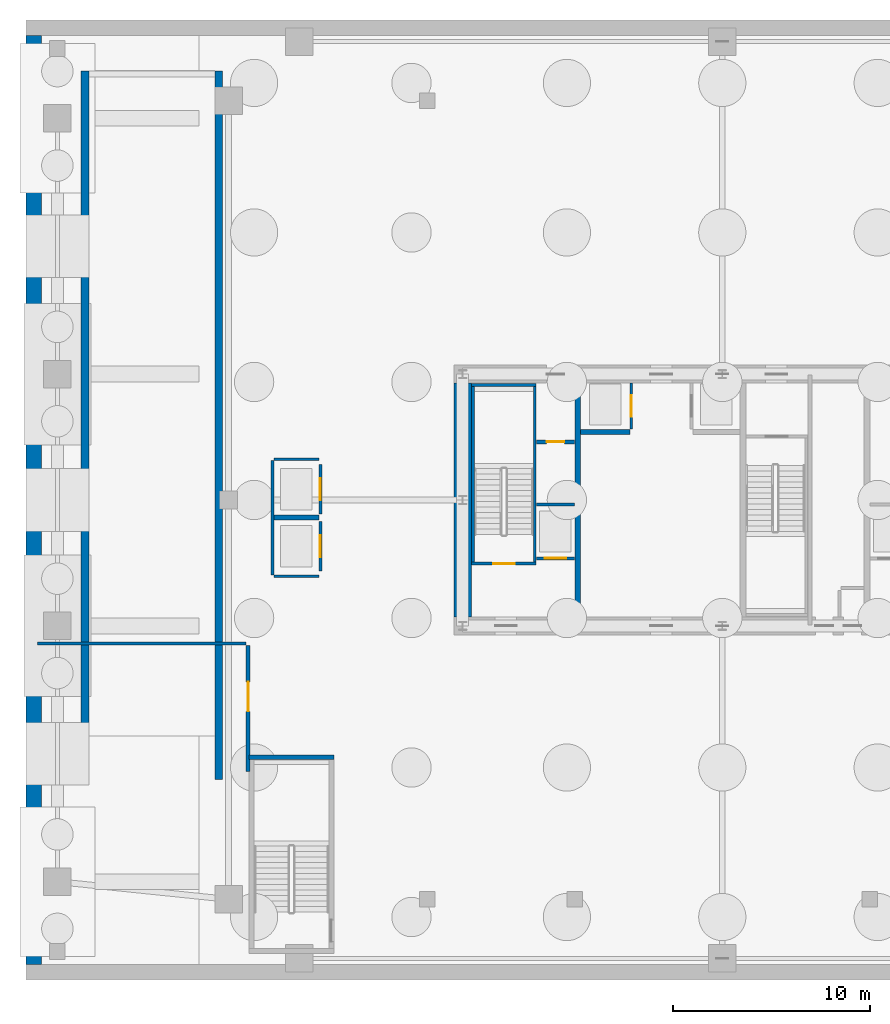
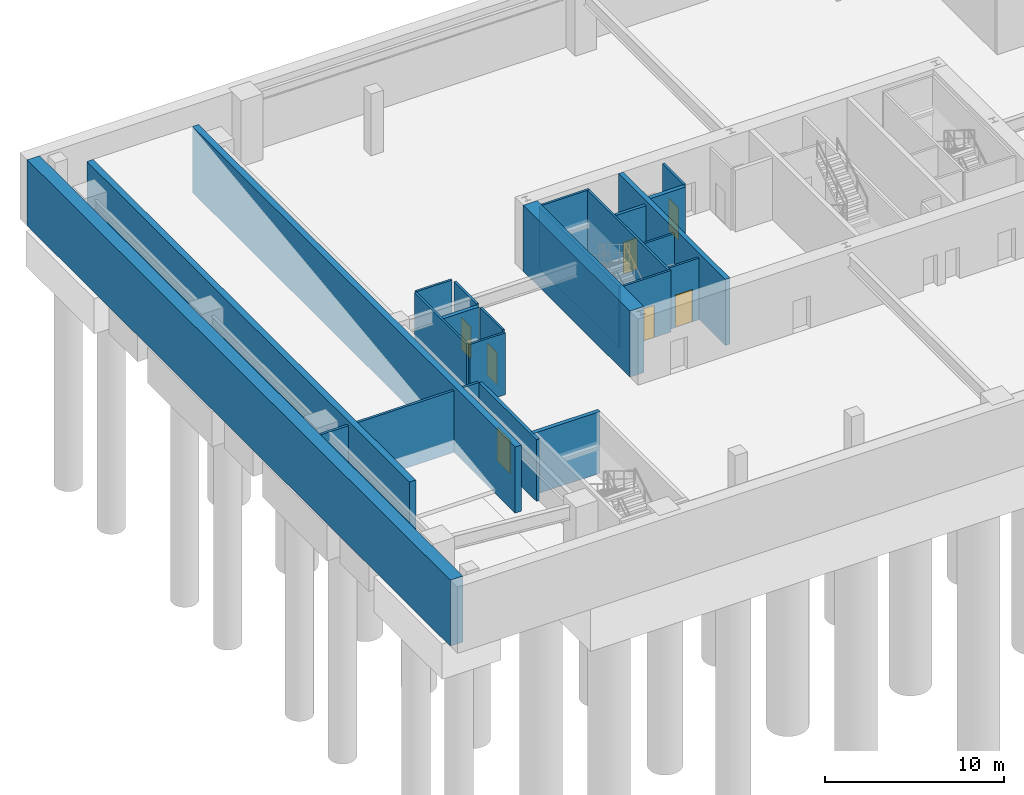
# One storey, part 4 of 10: 23 walls, 7 doors, 7 openings.
"""IFC4 building model written with IfcOpenShell, lengths in metres."""

import ifcopenshell
import ifcopenshell.guid

model = None  # the IFC model being written
_history = None  # IfcOwnerHistory: only IFC2X3 demands one
_inside = {}  # id of a spatial element -> (the spatial element, [elements in it])
_under = {}  # id of a project, library or spatial element -> (it, [spatial elements below it])
_declared = {}  # id of a project -> (the project, [libraries it declares])
_typed = {}  # id of a type object -> (the type object, [elements of that type])
_made_of = {}  # id of a material, layer set ... -> (it, [elements and type objects made of it])


def new_model(schema):
    """Start an empty IFC model of exactly this schema.

    Asked for "IFC4X3", IfcOpenShell would pick the latest addendum, in which some entities
    have other attributes; the version numbers below select the first issue.
    IFC2X3 requires an IfcOwnerHistory on every rooted entity: one is made here for all.
    """
    global model, _history
    if schema == "IFC4X3":
        model = ifcopenshell.file(schema_version=(4, 3, 0, 0))
    else:
        model = ifcopenshell.file(schema=schema)
    _inside.clear()
    _under.clear()
    _declared.clear()
    _typed.clear()
    _made_of.clear()
    _history = None
    if model.schema == "IFC2X3":
        org = make("IfcOrganization", Name="unknown")
        user = make(
            "IfcPersonAndOrganization",
            ThePerson=make("IfcPerson", FamilyName="unknown"),
            TheOrganization=org,
        )
        app = make(
            "IfcApplication",
            ApplicationDeveloper=org,
            Version="unknown",
            ApplicationFullName="unknown",
            ApplicationIdentifier="unknown",
        )
        _history = make(
            "IfcOwnerHistory",
            OwningUser=user,
            OwningApplication=app,
            ChangeAction="ADDED",
            CreationDate=0,
        )
    return model


def make(cls, **values):
    """One entity of the class cls with the attributes given. An attribute that is None is left unset."""
    return model.create_entity(
        cls, **{name: value for name, value in values.items() if value is not None}
    )


def rooted(cls, **values):
    """An entity with a GlobalId (a new one), such as an element, a storey or a relation."""
    return make(cls, GlobalId=ifcopenshell.guid.new(), OwnerHistory=_history, **values)


def si_unit(unit_type, name, prefix=None):
    """IfcSIUnit, for example si_unit("LENGTHUNIT", "METRE", prefix="MILLI")."""
    return make("IfcSIUnit", UnitType=unit_type, Prefix=prefix, Name=name)


def assignment(units):
    """IfcUnitAssignment: the units of a project."""
    return None if units is None else make("IfcUnitAssignment", Units=units)


def point(xyz):
    """IfcCartesianPoint."""
    return None if xyz is None else make("IfcCartesianPoint", Coordinates=xyz)


def direction(xyz):
    """IfcDirection."""
    return None if xyz is None else make("IfcDirection", DirectionRatios=xyz)


def frame(location, z_axis=None, x_axis=None):
    """IfcAxis2Placement3D, a coordinate frame: its origin and axes. An axis left out is left unset."""
    return make(
        "IfcAxis2Placement3D",
        Location=point(location),
        Axis=direction(z_axis),
        RefDirection=direction(x_axis),
    )


def frame_2d(location, x_axis=None):
    """IfcAxis2Placement2D, a coordinate frame in the plane: its origin and x axis."""
    return make(
        "IfcAxis2Placement2D", Location=point(location), RefDirection=direction(x_axis)
    )


def origin():
    """The frame at (0, 0, 0) with its axes left unset."""
    return frame((0.0, 0.0, 0.0))


def place(relative_to, where):
    """IfcLocalPlacement: puts the frame where relative to a parent placement (None: the world)."""
    return make(
        "IfcLocalPlacement", PlacementRelTo=relative_to, RelativePlacement=where
    )


def context(
    kind, dimensions, precision=None, world=None, true_north=None, identifier=None
):
    """IfcGeometricRepresentationContext, for example the 3D "Model" context."""
    return make(
        "IfcGeometricRepresentationContext",
        ContextIdentifier=identifier,
        ContextType=kind,
        CoordinateSpaceDimension=dimensions,
        Precision=precision,
        WorldCoordinateSystem=world,
        TrueNorth=true_north,
    )


def subcontext(parent, identifier, kind, view, scale=None):
    """IfcGeometricRepresentationSubContext, for example "Body" below "Model"."""
    return make(
        "IfcGeometricRepresentationSubContext",
        ContextIdentifier=identifier,
        ContextType=kind,
        ParentContext=parent,
        TargetScale=scale,
        TargetView=view,
    )


def project(units=None, contexts=None):
    """IfcProject with its units and contexts."""
    return rooted(
        "IfcProject",
        Name="project",
        RepresentationContexts=contexts,
        UnitsInContext=assignment(units),
    )


def spatial(cls, under=None, at=None, **own):
    """A site, building, storey or space (cls), placed at a placement, below another one or the project."""
    s = rooted(cls, ObjectPlacement=at, **own)
    if under is not None:
        _under.setdefault(under.id(), (under, []))[1].append(s)
    return s


def profile(cls, at=None, kind="AREA", **sizes):
    """A parametric profile (cls). Its sizes go by their IFC names, for example OverallWidth=200.0."""
    return make(cls, ProfileType=kind, Position=at, **sizes)


def rectangle(**sizes):
    """IfcRectangleProfileDef."""
    return profile("IfcRectangleProfileDef", **sizes)


def extrude(swept, where, along, depth):
    """IfcExtrudedAreaSolid: the profile swept, set in the frame where, extruded along a direction by depth."""
    return make(
        "IfcExtrudedAreaSolid",
        SweptArea=swept,
        Position=where,
        ExtrudedDirection=direction(along),
        Depth=depth,
    )


def shape(context_of_items, identifier, shape_type, items):
    """IfcShapeRepresentation: the items that make up one representation, for example the "Body"."""
    return make(
        "IfcShapeRepresentation",
        ContextOfItems=context_of_items,
        RepresentationIdentifier=identifier,
        RepresentationType=shape_type,
        Items=items,
    )


def source(mapping_origin, context_of_items, identifier, shape_type, items):
    """IfcRepresentationMap: a shape defined once, which mapped items show again and again."""
    return make(
        "IfcRepresentationMap",
        MappingOrigin=mapping_origin,
        MappedRepresentation=shape(context_of_items, identifier, shape_type, items),
    )


def transform(
    local_origin,
    x_axis=None,
    y_axis=None,
    z_axis=None,
    scale=None,
    scale2=None,
    scale3=None,
    uniform=True,
):
    """IfcCartesianTransformationOperator3D, or its non-uniform kind. x_axis, y_axis, z_axis: its Axis1, 2, 3."""
    if uniform:
        return make(
            "IfcCartesianTransformationOperator3D",
            Axis1=direction(x_axis),
            Axis2=direction(y_axis),
            LocalOrigin=point(local_origin),
            Scale=scale,
            Axis3=direction(z_axis),
        )
    return make(
        "IfcCartesianTransformationOperator3DnonUniform",
        Axis1=direction(x_axis),
        Axis2=direction(y_axis),
        LocalOrigin=point(local_origin),
        Scale=scale,
        Axis3=direction(z_axis),
        Scale2=scale2,
        Scale3=scale3,
    )


def mapped(mapping_source, mapping_target):
    """IfcMappedItem: shows the shape of a source again, moved by a transform."""
    return make(
        "IfcMappedItem", MappingSource=mapping_source, MappingTarget=mapping_target
    )


def material(Name=None, Category=None):
    """IfcMaterial."""
    return make("IfcMaterial", Name=Name, Category=Category)


def layer(
    of_material, thickness, ventilated=None, Name=None, Category=None, Priority=None
):
    """IfcMaterialLayer: one layer of a wall or slab, of a material (None: an air gap)."""
    return make(
        "IfcMaterialLayer",
        Material=of_material,
        LayerThickness=thickness,
        IsVentilated=ventilated,
        Name=Name,
        Category=Category,
        Priority=Priority,
    )


def layer_set(layers, Name=None):
    """IfcMaterialLayerSet."""
    return make("IfcMaterialLayerSet", MaterialLayers=layers, LayerSetName=Name)


def made_of(thing, what):
    """Note that an element or type object is made of a material, layer set ...; save() writes the relation."""
    if what is not None:
        _made_of.setdefault(what.id(), (what, []))[1].append(thing)
    return thing


def type_object(cls, material=None, **own):
    """A type object (cls), such as IfcWallType, which elements share."""
    return made_of(rooted(cls, **own), material)


def element(
    cls,
    number,
    at=None,
    inside=None,
    cuts=None,
    type_object=None,
    material=None,
    context=None,
    identifier="Body",
    shape_type=None,
    held_by="IfcProductDefinitionShape",
    body=None,
    shapes=None,
    **own,
):
    """One element of the class cls, such as IfcWall. Its Tag is "e" and its number.

    at: its placement. inside: the storey or other place that contains it. cuts: it is an
    opening in that element (IfcRelVoidsElement). A single representation is given by context,
    identifier, shape_type and body (its items); several are given by shapes. held_by: the class
    of the entity that holds the representations. save() writes the other relations.
    """
    e = rooted(cls, Tag="e%d" % number, ObjectPlacement=at, **own)
    if body is not None:
        shapes = [shape(context, identifier, shape_type, body)]
    if shapes is not None:
        e.Representation = make(held_by, Representations=shapes)
    if inside is not None:
        _inside.setdefault(inside.id(), (inside, []))[1].append(e)
    if cuts is not None:
        rooted(
            "IfcRelVoidsElement", RelatingBuildingElement=cuts, RelatedOpeningElement=e
        )
    if type_object is not None:
        _typed.setdefault(type_object.id(), (type_object, []))[1].append(e)
    return made_of(e, material)


def fill(opening, filler):
    """IfcRelFillsElement: the door or window that sits in an opening."""
    return rooted(
        "IfcRelFillsElement",
        RelatingOpeningElement=opening,
        RelatedBuildingElement=filler,
    )


def aggregate(whole, parts):
    """IfcRelAggregates: a whole, such as a stair, and the parts it consists of."""
    return rooted("IfcRelAggregates", RelatingObject=whole, RelatedObjects=parts)


def save(model, path):
    """Write the relations noted so far, then the file.

    IfcRelAggregates (storeys below a building ...), IfcRelContainedInSpatialStructure (elements
    in a storey), IfcRelDefinesByType, IfcRelAssociatesMaterial and IfcRelDeclares: one each for
    every whole, place, type object, material and project.
    """
    for whole, parts in _under.values():
        aggregate(whole, parts)
    for where, things in _inside.values():
        rooted(
            "IfcRelContainedInSpatialStructure",
            RelatedElements=things,
            RelatingStructure=where,
        )
    for kind, things in _typed.values():
        rooted("IfcRelDefinesByType", RelatedObjects=things, RelatingType=kind)
    for what, things in _made_of.values():
        rooted("IfcRelAssociatesMaterial", RelatedObjects=things, RelatingMaterial=what)
    for by, libraries in _declared.values():
        rooted("IfcRelDeclares", RelatingContext=by, RelatedDefinitions=libraries)
    model.write(path)


model = new_model("IFC4")

# Units and contexts
model_context = context("Model", 3, precision=1e-05, world=origin(), true_north=direction((0.0, 1.0)))
body_context = subcontext(model_context, "Body", "Model", "MODEL_VIEW")
ifc_project = project(units=[si_unit("LENGTHUNIT", "METRE"), si_unit("AREAUNIT", "SQUARE_METRE"), si_unit("VOLUMEUNIT", "CUBIC_METRE"), si_unit("PLANEANGLEUNIT", "RADIAN"), si_unit("MASSUNIT", "GRAM", prefix="KILO"), si_unit("THERMODYNAMICTEMPERATUREUNIT", "KELVIN"), si_unit("POWERUNIT", "WATT")], contexts=[model_context])

# Site, building, storey
site_placement = place(None, origin())
site = spatial("IfcSite", under=ifc_project, at=site_placement, CompositionType="ELEMENT")
building_placement = place(site_placement, origin())
building = spatial("IfcBuilding", under=site, at=building_placement, Name="Yuzanri Waterfront Tower", CompositionType="ELEMENT")
storey_placement = place(building_placement, frame((0.0, 0.0, -9.0)))
storey = spatial("IfcBuildingStorey", under=building, at=storey_placement, Name="B02", CompositionType="ELEMENT", Elevation=-9.0)

# Wall, opening, door
ifc_material_1 = material(Name="Concrete C40", Category="concrete")
ifc_layer_1 = layer(ifc_material_1, 0.139892578125)
ifc_layer_set_1 = layer_set([ifc_layer_1], Name="Concrete C40")
wall_type_1 = type_object("IfcWallType", Name="Core Stair Liner and Hoistway Shaft Wall 140", PredefinedType="SOLIDWALL", material=ifc_layer_set_1)
wall_1_placement = place(storey_placement, frame((27.56005859375, 22.830078125, 0.0), z_axis=(0.0, 0.0, 1.0), x_axis=(1.0, 0.0, 0.0)))
wall_1 = element("IfcWall", 1, at=wall_1_placement, inside=storey, type_object=wall_type_1, Name="B02 Lift FL-01 Front Shaft Wall", PredefinedType="SOLIDWALL", context=body_context, shape_type="SweptSolid", body=[
    extrude(rectangle(XDim=1.919921875, YDim=0.139892578125, at=frame_2d((0.9599609375, 0.0))), origin(), (0.0, 0.0, 1.0), 4.199951171875),
])
opening_1_placement = place(wall_1_placement, frame((0.409912109375, 0.0, 0.0)))
opening_1 = element("IfcOpeningElement", 2, at=opening_1_placement, cuts=wall_1, Name="Opening LD-FL-01", PredefinedType="OPENING", context=body_context, shape_type="SweptSolid", body=[
    extrude(rectangle(XDim=1.10009765625, YDim=2.199951171875, at=frame_2d((0.550048828125, 1.10009765625))), frame((0.0, 0.0849609375, 0.0), z_axis=(0.0, -1.0, 0.0), x_axis=(1.0, 0.0, 0.0)), (0.0, 0.0, 1.0), 0.169677734375),
])
ifc_material_2 = material(Name="Brushed Bronze and Stainless Steel Cab", Category="steel")
door_type_1 = type_object("IfcDoorType", Name="Center-Parting Bronze Lift Landing Sliding Door 1100x2200", OperationType="NOTDEFINED", PredefinedType="DOOR", material=ifc_material_2)
shared_shape_1 = source(origin(), body_context, "Body", "SweptSolid", [
    extrude(rectangle(XDim=1.10009765625, YDim=2.199951171875, at=frame_2d((0.550048828125, 1.10009765625))), frame((0.0, 0.02490234375, 0.0), z_axis=(0.0, -1.0, 0.0), x_axis=(1.0, 0.0, 0.0)), (0.0, 0.0, 1.0), 0.050048828125),
])
door_1_placement = place(opening_1_placement, origin())
door_1 = element("IfcDoor", 3, at=door_1_placement, inside=storey, type_object=door_type_1, Name="B02 FL-01 Lift Landing Sliding Door", OperationType="SLIDING_TO_LEFT", OverallHeight=2.199951171875, OverallWidth=1.10009765625, PredefinedType="DOOR", context=body_context, shape_type="MappedRepresentation", body=[
    mapped(shared_shape_1, transform((0.0, 0.0, 0.0), scale=1.0)),
])
fill(opening_1, door_1)

wall_2_placement = place(storey_placement, frame((32.3701171875, 29.39990234375, 0.0), z_axis=(0.0, 0.0, 1.0), x_axis=(0.0, 1.0, 0.0)))
wall_2 = element("IfcWall", 4, at=wall_2_placement, inside=storey, type_object=wall_type_1, Name="B02 Lift SL-01 Front Shaft Wall", PredefinedType="SOLIDWALL", context=body_context, shape_type="SweptSolid", body=[
    extrude(rectangle(XDim=2.340087890625, YDim=0.139892578125, at=frame_2d((1.169921875, 0.0))), origin(), (0.0, 0.0, 1.0), 4.199951171875),
])
opening_2_placement = place(wall_2_placement, frame((0.6201171875, 0.0, 0.0)))
opening_2 = element("IfcOpeningElement", 5, at=opening_2_placement, cuts=wall_2, Name="Opening LD-SL-01", PredefinedType="OPENING", context=body_context, shape_type="SweptSolid", body=[
    extrude(rectangle(XDim=1.10009765625, YDim=2.199951171875, at=frame_2d((0.550048828125, 1.10009765625))), frame((0.0, 0.0849609375, 0.0), z_axis=(0.0, -1.0, 0.0), x_axis=(1.0, 0.0, 0.0)), (0.0, 0.0, 1.0), 0.169677734375),
])
door_2_placement = place(opening_2_placement, origin())
door_2 = element("IfcDoor", 6, at=door_2_placement, inside=storey, type_object=door_type_1, Name="B02 SL-01 Lift Landing Sliding Door", OperationType="SLIDING_TO_LEFT", OverallHeight=2.199951171875, OverallWidth=1.10009765625, PredefinedType="DOOR", context=body_context, shape_type="MappedRepresentation", body=[
    mapped(shared_shape_1, transform((0.0, 0.0, 0.0), scale=1.0)),
])
fill(opening_2, door_2)

wall_3_placement = place(storey_placement, frame((16.570068359375, 22.199951171875, 0.0), z_axis=(0.0, 0.0, 1.0), x_axis=(0.0, 1.0, 0.0)))
wall_3 = element("IfcWall", 7, at=wall_3_placement, inside=storey, type_object=wall_type_1, Name="B02 Lift RL-01 Front Shaft Wall", PredefinedType="SOLIDWALL", context=body_context, shape_type="SweptSolid", body=[
    extrude(rectangle(XDim=2.5, YDim=0.139892578125, at=frame_2d((1.25, 0.0))), origin(), (0.0, 0.0, 1.0), 4.199951171875),
])
opening_3_placement = place(wall_3_placement, frame((0.699951171875, 0.0, 0.0)))
opening_3 = element("IfcOpeningElement", 8, at=opening_3_placement, cuts=wall_3, Name="Opening LD-RL-01", PredefinedType="OPENING", context=body_context, shape_type="SweptSolid", body=[
    extrude(rectangle(XDim=1.10009765625, YDim=2.199951171875, at=frame_2d((0.550048828125, 1.10009765625))), frame((0.0, 0.0849609375, 0.0), z_axis=(0.0, -1.0, 0.0), x_axis=(1.0, 0.0, 0.0)), (0.0, 0.0, 1.0), 0.169677734375),
])
door_3_placement = place(opening_3_placement, origin())
door_3 = element("IfcDoor", 9, at=door_3_placement, inside=storey, type_object=door_type_1, Name="B02 RL-01 Lift Landing Sliding Door", OperationType="SLIDING_TO_RIGHT", OverallHeight=2.199951171875, OverallWidth=1.10009765625, PredefinedType="DOOR", context=body_context, shape_type="MappedRepresentation", body=[
    mapped(shared_shape_1, transform((0.0, 0.0, 0.0), scale=1.0)),
])
fill(opening_3, door_3)

wall_4_placement = place(storey_placement, frame((16.570068359375, 25.10009765625, 0.0), z_axis=(0.0, 0.0, 1.0), x_axis=(0.0, 1.0, 0.0)))
wall_4 = element("IfcWall", 10, at=wall_4_placement, inside=storey, type_object=wall_type_1, Name="B02 Lift RL-02 Front Shaft Wall", PredefinedType="SOLIDWALL", context=body_context, shape_type="SweptSolid", body=[
    extrude(rectangle(XDim=2.5, YDim=0.139892578125, at=frame_2d((1.25, 0.0))), origin(), (0.0, 0.0, 1.0), 4.199951171875),
])
opening_4_placement = place(wall_4_placement, frame((0.699951171875, 0.0, 0.0)))
opening_4 = element("IfcOpeningElement", 11, at=opening_4_placement, cuts=wall_4, Name="Opening LD-RL-02", PredefinedType="OPENING", context=body_context, shape_type="SweptSolid", body=[
    extrude(rectangle(XDim=1.10009765625, YDim=2.199951171875, at=frame_2d((0.550048828125, 1.10009765625))), frame((0.0, 0.0849609375, 0.0), z_axis=(0.0, -1.0, 0.0), x_axis=(1.0, 0.0, 0.0)), (0.0, 0.0, 1.0), 0.169677734375),
])
door_4_placement = place(opening_4_placement, origin())
door_4 = element("IfcDoor", 12, at=door_4_placement, inside=storey, type_object=door_type_1, Name="B02 RL-02 Lift Landing Sliding Door", OperationType="SLIDING_TO_LEFT", OverallHeight=2.199951171875, OverallWidth=1.10009765625, PredefinedType="DOOR", context=body_context, shape_type="MappedRepresentation", body=[
    mapped(shared_shape_1, transform((0.0, 0.0, 0.0), scale=1.0)),
])
fill(opening_4, door_4)

wall_5_placement = place(storey_placement, frame((24.260009765625, 22.570068359375, 0.0), z_axis=(0.0, 0.0, 1.0), x_axis=(1.0, 0.0, 0.0)))
wall_5 = element("IfcWall", 13, at=wall_5_placement, inside=storey, type_object=wall_type_1, Name="B02 Shaft Wall STW-B02-ST-01-S", PredefinedType="SOLIDWALL", context=body_context, shape_type="SweptSolid", body=[
    extrude(rectangle(XDim=3.280029296875, YDim=0.139892578125, at=frame_2d((1.64013671875, 0.0))), origin(), (0.0, 0.0, 1.0), 4.199951171875),
])
opening_5_placement = place(wall_5_placement, frame((1.090087890625, 0.0, 0.0)))
opening_5 = element("IfcOpeningElement", 14, at=opening_5_placement, cuts=wall_5, Name="Opening FD-1100", PredefinedType="OPENING", context=body_context, shape_type="SweptSolid", body=[
    extrude(rectangle(XDim=1.10009765625, YDim=2.199951171875, at=frame_2d((0.550048828125, 1.10009765625))), frame((0.0, 0.0849609375, 0.0), z_axis=(0.0, -1.0, 0.0), x_axis=(1.0, 0.0, 0.0)), (0.0, 0.0, 1.0), 0.169677734375),
])
ifc_material_3 = material(Name="Painted Galvanized Fire Steel", Category="steel")
door_type_2 = type_object("IfcDoorType", Name="Smoke-Proof Stair and Lobby Fire Door 1100x2200", OperationType="NOTDEFINED", PredefinedType="DOOR", material=ifc_material_3)
shared_shape_2 = source(origin(), body_context, "Body", "SweptSolid", [
    extrude(rectangle(XDim=1.10009765625, YDim=2.199951171875, at=frame_2d((0.550048828125, 1.10009765625))), frame((0.0, 0.02490234375, 0.0), z_axis=(0.0, -1.0, 0.0), x_axis=(1.0, 0.0, 0.0)), (0.0, 0.0, 1.0), 0.050048828125),
])
door_5_placement = place(opening_5_placement, origin())
door_5 = element("IfcDoor", 15, at=door_5_placement, inside=storey, type_object=door_type_2, Name="B02 Stair ST-01 Fire Door", OperationType="SINGLE_SWING_LEFT", OverallHeight=2.199951171875, OverallWidth=1.10009765625, PredefinedType="DOOR", context=body_context, shape_type="MappedRepresentation", body=[
    mapped(shared_shape_2, transform((0.0, 0.0, 0.0), scale=1.0)),
])
fill(opening_5, door_5)

ifc_material_4 = material(Name="Autoclaved Aerated Concrete Blockwork", Category="masonry")
ifc_layer_2 = layer(ifc_material_4, 0.199951171875)
ifc_layer_set_2 = layer_set([ifc_layer_2], Name="Autoclaved Aerated Concrete Blockwork")
wall_type_2 = type_object("IfcWallType", Name="Corridor and Unit Party Fire Wall 200", PredefinedType="PARTITIONING", material=ifc_layer_set_2)
wall_6_placement = place(storey_placement, frame((27.56005859375, 28.75, 0.0), z_axis=(0.0, 0.0, 1.0), x_axis=(1.0, 0.0, 0.0)))
wall_6 = element("IfcWall", 16, at=wall_6_placement, inside=storey, type_object=wall_type_2, Name="B02 Partition CRW-B02-ERTR", PredefinedType="PARTITIONING", context=body_context, shape_type="SweptSolid", body=[
    extrude(rectangle(XDim=1.919921875, YDim=0.199951171875, at=frame_2d((0.9599609375, 0.0))), origin(), (0.0, 0.0, 1.0), 4.199951171875),
])
opening_6_placement = place(wall_6_placement, frame((0.510009765625, 0.0, 0.0)))
opening_6 = element("IfcOpeningElement", 17, at=opening_6_placement, cuts=wall_6, Name="Opening FD-0900", PredefinedType="OPENING", context=body_context, shape_type="SweptSolid", body=[
    extrude(rectangle(XDim=0.89990234375, YDim=2.14990234375, at=frame_2d((0.449951171875, 1.074951171875))), frame((0.0, 0.11474609375, 0.0), z_axis=(0.0, -1.0, 0.0), x_axis=(1.0, 0.0, 0.0)), (0.0, 0.0, 1.0), 0.229736328125),
])
ifc_material_5 = material(Name="Painted Galvanized Fire Steel", Category="steel")
door_type_3 = type_object("IfcDoorType", Name="Riser and Service Room Fire Door 900x2150", OperationType="NOTDEFINED", PredefinedType="DOOR", material=ifc_material_5)
shared_shape_3 = source(origin(), body_context, "Body", "SweptSolid", [
    extrude(rectangle(XDim=0.89990234375, YDim=2.14990234375, at=frame_2d((0.449951171875, 1.074951171875))), frame((0.0, 0.02490234375, 0.0), z_axis=(0.0, -1.0, 0.0), x_axis=(1.0, 0.0, 0.0)), (0.0, 0.0, 1.0), 0.050048828125),
])
door_6_placement = place(opening_6_placement, origin())
door_6 = element("IfcDoor", 18, at=door_6_placement, inside=storey, type_object=door_type_3, Name="B02 Electrical Riser Door", OperationType="SINGLE_SWING_LEFT", OverallHeight=2.14990234375, OverallWidth=0.89990234375, PredefinedType="DOOR", context=body_context, shape_type="MappedRepresentation", body=[
    mapped(shared_shape_3, transform((0.0, 0.0, 0.0), scale=1.0)),
])
fill(opening_6, door_6)

wall_7_placement = place(storey_placement, frame((12.89990234375, 12.0, 0.0), z_axis=(0.0, 0.0, 1.0), x_axis=(0.0, 1.0, 0.0)))
wall_7 = element("IfcWall", 19, at=wall_7_placement, inside=storey, type_object=wall_type_2, Name="B02 Partition PRW-B02-031-E", PredefinedType="PARTITIONING", context=body_context, shape_type="SweptSolid", body=[
    extrude(rectangle(XDim=6.39990234375, YDim=0.199951171875, at=frame_2d((3.199951171875, 0.0))), origin(), (0.0, 0.0, 1.0), 4.199951171875),
])
opening_7_placement = place(wall_7_placement, frame((3.050048828125, 0.0, 0.0)))
opening_7 = element("IfcOpeningElement", 20, at=opening_7_placement, cuts=wall_7, Name="Opening FD-1500", PredefinedType="OPENING", context=body_context, shape_type="SweptSolid", body=[
    extrude(rectangle(XDim=1.5, YDim=2.300048828125, at=frame_2d((0.75, 1.14990234375))), frame((0.0, 0.11474609375, 0.0), z_axis=(0.0, -1.0, 0.0), x_axis=(1.0, 0.0, 0.0)), (0.0, 0.0, 1.0), 0.229736328125),
])
ifc_material_6 = material(Name="Painted Galvanized Fire Steel", Category="steel")
door_type_4 = type_object("IfcDoorType", Name="Plant and Ballroom Double Fire Door 1500x2300", OperationType="NOTDEFINED", PredefinedType="DOOR", material=ifc_material_6)
shared_shape_4 = source(origin(), body_context, "Body", "SweptSolid", [
    extrude(rectangle(XDim=1.5, YDim=2.300048828125, at=frame_2d((0.75, 1.14990234375))), frame((0.0, 0.02490234375, 0.0), z_axis=(0.0, -1.0, 0.0), x_axis=(1.0, 0.0, 0.0)), (0.0, 0.0, 1.0), 0.050048828125),
])
door_7_placement = place(opening_7_placement, origin())
door_7 = element("IfcDoor", 21, at=door_7_placement, inside=storey, type_object=door_type_4, Name="B02 Sprinkler Tank and Booster Room", OperationType="DOUBLE_DOOR_SINGLE_SWING", OverallHeight=2.300048828125, OverallWidth=1.5, PredefinedType="DOOR", context=body_context, shape_type="MappedRepresentation", body=[
    mapped(shared_shape_4, transform((0.0, 0.0, 0.0), scale=1.0)),
])
fill(opening_7, door_7)

# Walls
ifc_material_7 = material(Name="Concrete C50", Category="concrete")
ifc_layer_3 = layer(ifc_material_7, 0.800048828125)
ifc_layer_set_3 = layer_set([ifc_layer_3], Name="Concrete C50")
wall_type_3 = type_object("IfcWallType", Name="Concrete C50 Basement Perimeter Waterproof Retaining Wall 800", PredefinedType="USERDEFINED", material=ifc_layer_set_3)
shared_shape_5 = source(origin(), body_context, "Body", "SweptSolid", [
    extrude(rectangle(XDim=47.199951171875, YDim=0.800048828125, at=frame_2d((23.60009765625, 0.0))), origin(), (0.0, 0.0, 1.0), 4.5),
])
wall_8_placement = place(storey_placement, frame((2.0, 2.199951171875, 0.0), z_axis=(0.0, 0.0, 1.0), x_axis=(0.0, 1.0, 0.0)))
element("IfcWall", 22, at=wall_8_placement, inside=storey, type_object=wall_type_3, Name="B02 West Retaining Wall", ObjectType="RETAININGWALL", PredefinedType="USERDEFINED", context=body_context, shape_type="MappedRepresentation", body=[
    mapped(shared_shape_5, transform((0.0, 0.0, 0.0), scale=1.0)),
])
ifc_material_8 = material(Name="Concrete C50", Category="concrete")
ifc_layer_4 = layer(ifc_material_8, 0.39990234375)
ifc_layer_set_4 = layer_set([ifc_layer_4], Name="Concrete C50")
wall_type_4 = type_object("IfcWallType", Name="Concrete C50 Car-Park Ramp Enclosure Structural Wall 400", PredefinedType="SOLIDWALL", material=ifc_layer_set_4)
shared_shape_6 = source(origin(), body_context, "Body", "SweptSolid", [
    extrude(rectangle(XDim=36.0, YDim=0.39990234375, at=frame_2d((18.0, 0.0))), origin(), (0.0, 0.0, 1.0), 4.5),
])
for number, where, z_axis, x_axis, name in (
    (23, (4.60009765625, 11.60009765625, 0.0), (0.0, 0.0, 1.0), (0.0, 1.0, 0.0), "B02 Ramp West Enclosure Wall"),
    (24, (11.39990234375, 11.60009765625, 0.0), (0.0, 0.0, 1.0), (0.0, 1.0, 0.0), "B02 Ramp East Enclosure Wall"),
):
    element("IfcWall", number, at=place(storey_placement, frame(where, z_axis=z_axis, x_axis=x_axis)), inside=storey, type_object=wall_type_4, Name=name, PredefinedType="SOLIDWALL", context=body_context, shape_type="MappedRepresentation", body=[
        mapped(shared_shape_6, transform((0.0, 0.0, 0.0), scale=1.0)),
    ])
ifc_material_9 = material(Name="Concrete C60", Category="concrete")
ifc_layer_5 = layer(ifc_material_9, 0.89990234375)
ifc_layer_set_5 = layer_set([ifc_layer_5], Name="Concrete C60")
wall_type_5 = type_object("IfcWallType", Name="Concrete C60 Lower Zone Core Shear Wall 900", PredefinedType="SHEAR", material=ifc_layer_set_5)
shared_shape_7 = source(origin(), body_context, "Body", "SweptSolid", [
    extrude(rectangle(XDim=11.89990234375, YDim=0.89990234375, at=frame_2d((5.949951171875, 0.0))), origin(), (0.0, 0.0, 1.0), 4.5),
])
wall_9_placement = place(storey_placement, frame((23.800048828125, 19.85009765625, 0.0), z_axis=(0.0, 0.0, 1.0), x_axis=(0.0, 1.0, 0.0)))
element("IfcWall", 25, at=wall_9_placement, inside=storey, type_object=wall_type_5, Name="B02 Core West Shear Wall", PredefinedType="SHEAR", context=body_context, shape_type="MappedRepresentation", body=[
    mapped(shared_shape_7, transform((0.0, 0.0, 0.0), scale=1.0)),
])
ifc_material_10 = material(Name="Concrete C50", Category="concrete")
ifc_layer_6 = layer(ifc_material_10, 0.300048828125)
ifc_layer_set_6 = layer_set([ifc_layer_6], Name="Concrete C50")
wall_type_6 = type_object("IfcWallType", Name="Concrete C50 Internal Core Shaft Structural Wall 300", PredefinedType="SOLIDWALL", material=ifc_layer_set_6)
shared_shape_8 = source(origin(), body_context, "Body", "SweptSolid", [
    extrude(rectangle(XDim=11.89990234375, YDim=0.300048828125, at=frame_2d((5.949951171875, 0.0))), origin(), (0.0, 0.0, 1.0), 4.5),
])
wall_10_placement = place(storey_placement, frame((29.64990234375, 19.85009765625, 0.0), z_axis=(0.0, 0.0, 1.0), x_axis=(0.0, 1.0, 0.0)))
element("IfcWall", 26, at=wall_10_placement, inside=storey, type_object=wall_type_6, Name="B02 Core Internal Structural Web Wall 1", PredefinedType="SOLIDWALL", context=body_context, shape_type="MappedRepresentation", body=[
    mapped(shared_shape_8, transform((0.0, 0.0, 0.0), scale=1.0)),
])
shared_shape_9 = source(origin(), body_context, "Body", "SweptSolid", [
    extrude(rectangle(XDim=1.919921875, YDim=0.139892578125, at=frame_2d((0.9599609375, 0.0))), origin(), (0.0, 0.0, 1.0), 4.199951171875),
])
wall_11_placement = place(storey_placement, frame((27.56005859375, 25.570068359375, 0.0), z_axis=(0.0, 0.0, 1.0), x_axis=(1.0, 0.0, 0.0)))
element("IfcWall", 27, at=wall_11_placement, inside=storey, type_object=wall_type_1, Name="B02 Lift FL-01 Back Shaft Wall", PredefinedType="SOLIDWALL", context=body_context, shape_type="MappedRepresentation", body=[
    mapped(shared_shape_9, transform((0.0, 0.0, 0.0), scale=1.0)),
])
ifc_material_11 = material(Name="Concrete C40", Category="concrete")
ifc_layer_7 = layer(ifc_material_11, 0.25)
ifc_layer_set_7 = layer_set([ifc_layer_7], Name="Concrete C40")
wall_type_7 = type_object("IfcWallType", Name="Smoke-Proof Stair and Lift Shaft Wall 250", PredefinedType="SOLIDWALL", material=ifc_layer_set_7)
shared_shape_10 = source(origin(), body_context, "Body", "SweptSolid", [
    extrude(rectangle(XDim=2.5, YDim=0.25, at=frame_2d((1.25, 0.0))), origin(), (0.0, 0.0, 1.0), 4.199951171875),
])
wall_12_placement = place(storey_placement, frame((29.800048828125, 29.25, 0.0), z_axis=(0.0, 0.0, 1.0), x_axis=(1.0, 0.0, 0.0)))
element("IfcWall", 28, at=wall_12_placement, inside=storey, type_object=wall_type_7, Name="B02 Lift SL-01 South Shaft Wall", PredefinedType="SOLIDWALL", context=body_context, shape_type="MappedRepresentation", body=[
    mapped(shared_shape_10, transform((0.0, 0.0, 0.0), scale=1.0)),
])
shared_shape_11 = source(origin(), body_context, "Body", "SweptSolid", [
    extrude(rectangle(XDim=2.300048828125, YDim=0.25, at=frame_2d((1.14990234375, 0.0))), origin(), (0.0, 0.0, 1.0), 4.199951171875),
])
wall_13_placement = place(storey_placement, frame((14.199951171875, 24.89990234375, 0.0), z_axis=(0.0, 0.0, 1.0), x_axis=(1.0, 0.0, 0.0)))
element("IfcWall", 29, at=wall_13_placement, inside=storey, type_object=wall_type_7, Name="B02 Lift RL-01 Divider Wall", PredefinedType="SOLIDWALL", context=body_context, shape_type="MappedRepresentation", body=[
    mapped(shared_shape_11, transform((0.0, 0.0, 0.0), scale=1.0)),
])
shared_shape_12 = source(origin(), body_context, "Body", "SweptSolid", [
    extrude(rectangle(XDim=5.800048828125, YDim=0.139892578125, at=frame_2d((2.89990234375, 0.0))), origin(), (0.0, 0.0, 1.0), 4.199951171875),
])
wall_14_placement = place(storey_placement, frame((14.1298828125, 22.0, 0.0), z_axis=(0.0, 0.0, 1.0), x_axis=(0.0, 1.0, 0.0)))
element("IfcWall", 30, at=wall_14_placement, inside=storey, type_object=wall_type_1, Name="B02 Retail Lift West Shaft Wall", PredefinedType="SOLIDWALL", context=body_context, shape_type="MappedRepresentation", body=[
    mapped(shared_shape_12, transform((0.0, 0.0, 0.0), scale=1.0)),
])
shared_shape_13 = source(origin(), body_context, "Body", "SweptSolid", [
    extrude(rectangle(XDim=2.300048828125, YDim=0.139892578125, at=frame_2d((1.14990234375, 0.0))), origin(), (0.0, 0.0, 1.0), 4.199951171875),
])
for number, where, z_axis, x_axis, name in (
    (31, (14.199951171875, 21.929931640625, 0.0), (0.0, 0.0, 1.0), (1.0, 0.0, 0.0), "B02 Retail Lift South Shaft Wall"),
    (32, (14.199951171875, 27.8701171875, 0.0), (0.0, 0.0, 1.0), (1.0, 0.0, 0.0), "B02 Retail Lift North Shaft Wall"),
):
    element("IfcWall", number, at=place(storey_placement, frame(where, z_axis=z_axis, x_axis=x_axis)), inside=storey, type_object=wall_type_1, Name=name, PredefinedType="SOLIDWALL", context=body_context, shape_type="MappedRepresentation", body=[
        mapped(shared_shape_13, transform((0.0, 0.0, 0.0), scale=1.0)),
    ])
shared_shape_14 = source(origin(), body_context, "Body", "SweptSolid", [
    extrude(rectangle(XDim=3.280029296875, YDim=0.139892578125, at=frame_2d((1.64013671875, 0.0))), origin(), (0.0, 0.0, 1.0), 4.199951171875),
])
wall_15_placement = place(storey_placement, frame((24.260009765625, 31.64990234375, 0.0), z_axis=(0.0, 0.0, 1.0), x_axis=(1.0, 0.0, 0.0)))
element("IfcWall", 33, at=wall_15_placement, inside=storey, type_object=wall_type_1, Name="B02 Stair ST-01 North Shaft Wall", PredefinedType="SOLIDWALL", context=body_context, shape_type="MappedRepresentation", body=[
    mapped(shared_shape_14, transform((0.0, 0.0, 0.0), scale=1.0)),
])
shared_shape_15 = source(origin(), body_context, "Body", "SweptSolid", [
    extrude(rectangle(XDim=8.940185546875, YDim=0.139892578125, at=frame_2d((4.47021484375, 0.0))), origin(), (0.0, 0.0, 1.0), 4.199951171875),
])
for number, where, z_axis, x_axis, name in (
    (34, (24.330078125, 22.639892578125, 0.0), (0.0, 0.0, 1.0), (0.0, 1.0, 0.0), "B02 Stair ST-01 West Shaft Wall"),
    (35, (27.469970703125, 22.639892578125, 0.0), (0.0, 0.0, 1.0), (0.0, 1.0, 0.0), "B02 Stair ST-01 East Shaft Wall"),
):
    element("IfcWall", number, at=place(storey_placement, frame(where, z_axis=z_axis, x_axis=x_axis)), inside=storey, type_object=wall_type_1, Name=name, PredefinedType="SOLIDWALL", context=body_context, shape_type="MappedRepresentation", body=[
        mapped(shared_shape_15, transform((0.0, 0.0, 0.0), scale=1.0)),
    ])
shared_shape_16 = source(origin(), body_context, "Body", "SweptSolid", [
    extrude(rectangle(XDim=4.300048828125, YDim=0.25, at=frame_2d((2.14990234375, 0.0))), origin(), (0.0, 0.0, 1.0), 4.199951171875),
])
wall_16_placement = place(storey_placement, frame((12.949951171875, 12.72509765625, 0.0), z_axis=(0.0, 0.0, 1.0), x_axis=(1.0, 0.0, 0.0)))
element("IfcWall", 36, at=wall_16_placement, inside=storey, type_object=wall_type_7, Name="B02 PST-01 North Wall", PredefinedType="SOLIDWALL", context=body_context, shape_type="MappedRepresentation", body=[
    mapped(shared_shape_16, transform((0.0, 0.0, 0.0), scale=1.0)),
])
ifc_material_12 = material(Name="Gypsum Fireboard Acoustic Stud Wall", Category="gypsum")
ifc_layer_8 = layer(ifc_material_12, 0.159912109375)
ifc_layer_set_8 = layer_set([ifc_layer_8], Name="Gypsum Fireboard Acoustic Stud Wall")
wall_type_8 = type_object("IfcWallType", Name="Acoustic Suite Demising Partition 160", PredefinedType="PARTITIONING", material=ifc_layer_set_8)
shared_shape_17 = source(origin(), body_context, "Body", "SweptSolid", [
    extrude(rectangle(XDim=10.6201171875, YDim=0.159912109375, at=frame_2d((5.31005859375, 0.0))), origin(), (0.0, 0.0, 1.0), 4.199951171875),
])
wall_17_placement = place(storey_placement, frame((2.179931640625, 18.5, 0.0), z_axis=(0.0, 0.0, 1.0), x_axis=(1.0, 0.0, 0.0)))
element("IfcWall", 37, at=wall_17_placement, inside=storey, type_object=wall_type_8, Name="B02-031 North Partition", PredefinedType="PARTITIONING", context=body_context, shape_type="MappedRepresentation", body=[
    mapped(shared_shape_17, transform((0.0, 0.0, 0.0), scale=1.0)),
])

save(model, "model.ifc")
